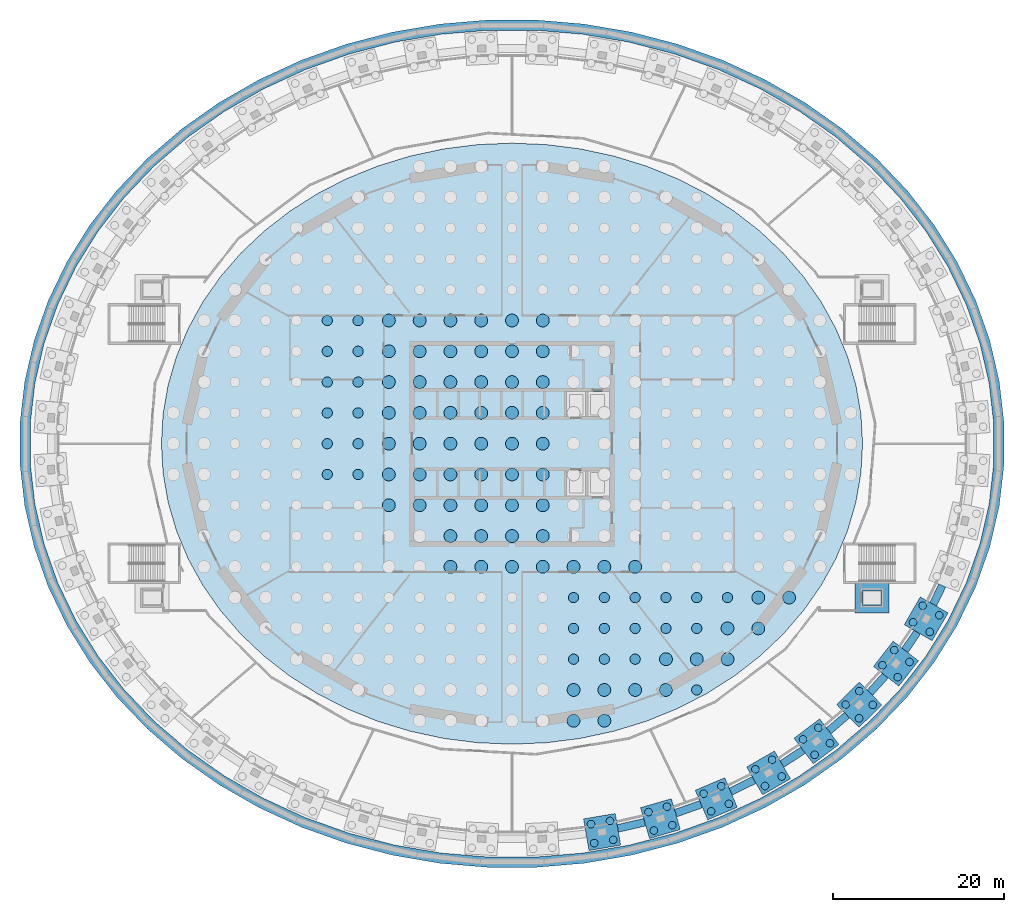
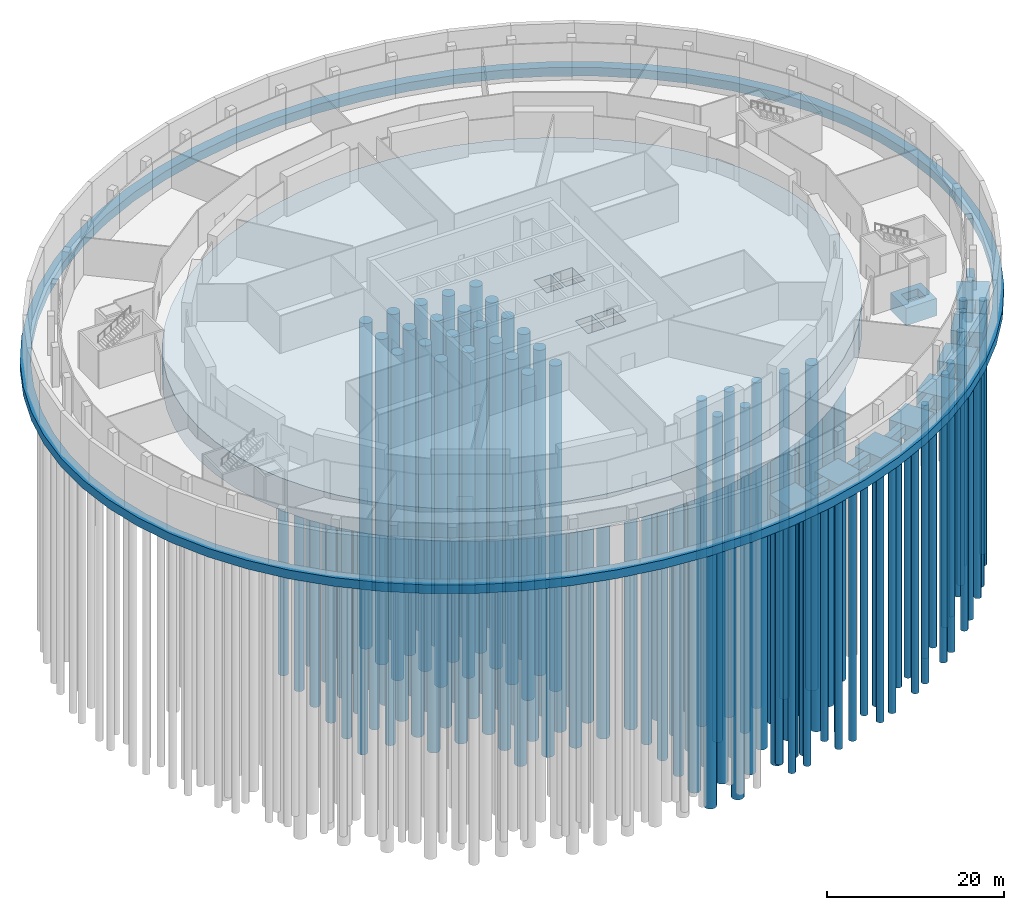
# One storey, part 2 of 15: 125 piles, 20 footings.
"""IFC4 building model written with IfcOpenShell, lengths in metres."""

from ifc_helpers import new_model, si_unit, direction, frame, origin, origin_2d, place, context, subcontext, project, spatial, polyline, rectangle, circle, outline, extrude, material, layer, layer_set, material_profile, profile_set, type_object, element, save


model = new_model("IFC4")

# Units and contexts
model_context = context("Model", 3, precision=1e-05, world=origin(), true_north=direction((0.0, 1.0)))
body_context = subcontext(model_context, "Body", "Model", "MODEL_VIEW")
ifc_project = project(units=[si_unit("LENGTHUNIT", "METRE"), si_unit("AREAUNIT", "SQUARE_METRE"), si_unit("VOLUMEUNIT", "CUBIC_METRE"), si_unit("PLANEANGLEUNIT", "RADIAN"), si_unit("MASSUNIT", "GRAM", prefix="KILO")], contexts=[model_context])

# Site, building, storey
site_placement = place(None, origin())
site = spatial("IfcSite", under=ifc_project, at=site_placement, CompositionType="ELEMENT")
building_placement = place(site_placement, origin())
building = spatial("IfcBuilding", under=site, at=building_placement, Name="Halqa Exchange Tower", CompositionType="ELEMENT")
storey_placement = place(building_placement, frame((0.0, 0.0, -15.0)))
storey = spatial("IfcBuildingStorey", under=building, at=storey_placement, Name="B3", CompositionType="ELEMENT", Elevation=-15.0)

# Piles
ifc_material_1 = material(Name="Concrete C35/45", Category="concrete")
ifc_material_profile_1 = material_profile(ifc_material_1, circle(Radius=0.60009765625, at=origin_2d()), Name="D1200")
ifc_profile_set_1 = profile_set([ifc_material_profile_1], Name="Concrete C35/45")
pile_type_1 = type_object("IfcPileType", Name="Bored pile D1200", PredefinedType="BORED", material=ifc_profile_set_1)
for number, where, z_axis, x_axis, name in (
    (1, (21.60009765625, -28.800048828125, -4.89990234375), (0.0, 0.0, -1.0), (1.0, 0.0, 0.0), "Raft pile"),
    (2, (7.199951171875, -25.199951171875, -4.89990234375), (0.0, 0.0, -1.0), (1.0, 0.0, 0.0), "Raft pile"),
    (3, (10.800048828125, -25.199951171875, -4.89990234375), (0.0, 0.0, -1.0), (1.0, 0.0, 0.0), "Raft pile"),
    (4, (14.39990234375, -25.199951171875, -4.89990234375), (0.0, 0.0, -1.0), (1.0, 0.0, 0.0), "Raft pile"),
    (5, (7.199951171875, -21.60009765625, -4.89990234375), (0.0, 0.0, -1.0), (1.0, 0.0, 0.0), "Raft pile"),
    (6, (10.800048828125, -21.60009765625, -4.89990234375), (0.0, 0.0, -1.0), (1.0, 0.0, 0.0), "Raft pile"),
    (7, (14.39990234375, -21.60009765625, -4.89990234375), (0.0, 0.0, -1.0), (1.0, 0.0, 0.0), "Raft pile"),
    (8, (18.0, -21.60009765625, -4.89990234375), (0.0, 0.0, -1.0), (1.0, 0.0, 0.0), "Raft pile"),
    (9, (21.60009765625, -21.60009765625, -4.89990234375), (0.0, 0.0, -1.0), (1.0, 0.0, 0.0), "Raft pile"),
    (10, (7.199951171875, -18.0, -4.89990234375), (0.0, 0.0, -1.0), (1.0, 0.0, 0.0), "Raft pile"),
    (11, (10.800048828125, -18.0, -4.89990234375), (0.0, 0.0, -1.0), (1.0, 0.0, 0.0), "Raft pile"),
    (12, (14.39990234375, -18.0, -4.89990234375), (0.0, 0.0, -1.0), (1.0, 0.0, 0.0), "Raft pile"),
    (13, (18.0, -18.0, -4.89990234375), (0.0, 0.0, -1.0), (1.0, 0.0, 0.0), "Raft pile"),
    (14, (21.60009765625, -18.0, -4.89990234375), (0.0, 0.0, -1.0), (1.0, 0.0, 0.0), "Raft pile"),
    (15, (25.199951171875, -18.0, -4.89990234375), (0.0, 0.0, -1.0), (1.0, 0.0, 0.0), "Raft pile"),
    (16, (-21.60009765625, -3.60009765625, -4.89990234375), (0.0, 0.0, -1.0), (1.0, 0.0, 0.0), "Raft pile"),
    (17, (-18.0, -3.60009765625, -4.89990234375), (0.0, 0.0, -1.0), (1.0, 0.0, 0.0), "Raft pile"),
    (18, (-21.60009765625, 0.0, -4.89990234375), (0.0, 0.0, -1.0), (1.0, 0.0, 0.0), "Raft pile"),
    (19, (-18.0, 0.0, -4.89990234375), (0.0, 0.0, -1.0), (1.0, 0.0, 0.0), "Raft pile"),
    (20, (-21.60009765625, 3.60009765625, -4.89990234375), (0.0, 0.0, -1.0), (1.0, 0.0, 0.0), "Raft pile"),
    (21, (-18.0, 3.60009765625, -4.89990234375), (0.0, 0.0, -1.0), (1.0, 0.0, 0.0), "Raft pile"),
    (22, (-21.60009765625, 7.199951171875, -4.89990234375), (0.0, 0.0, -1.0), (1.0, 0.0, 0.0), "Raft pile"),
    (23, (-18.0, 7.199951171875, -4.89990234375), (0.0, 0.0, -1.0), (1.0, 0.0, 0.0), "Raft pile"),
    (24, (-21.60009765625, 10.800048828125, -4.89990234375), (0.0, 0.0, -1.0), (1.0, 0.0, 0.0), "Raft pile"),
    (25, (-18.0, 10.800048828125, -4.89990234375), (0.0, 0.0, -1.0), (1.0, 0.0, 0.0), "Raft pile"),
    (26, (-21.60009765625, 14.39990234375, -4.89990234375), (0.0, 0.0, -1.0), (1.0, 0.0, 0.0), "Raft pile"),
    (27, (-18.0, 14.39990234375, -4.89990234375), (0.0, 0.0, -1.0), (1.0, 0.0, 0.0), "Raft pile"),
):
    element("IfcPile", number, at=place(storey_placement, frame(where, z_axis=z_axis, x_axis=x_axis)), inside=storey, type_object=pile_type_1, Name=name, PredefinedType="BORED", context=body_context, shape_type="SweptSolid", body=[
        extrude(circle(Radius=0.60009765625, at=origin_2d()), origin(), (0.0, 0.0, 1.0), 45.0),
    ])
ifc_material_profile_2 = material_profile(ifc_material_1, circle(Radius=0.75, at=origin_2d()), Name="D1500")
ifc_profile_set_2 = profile_set([ifc_material_profile_2], Name="Concrete C35/45")
pile_type_2 = type_object("IfcPileType", Name="Bored pile D1500", PredefinedType="BORED", material=ifc_profile_set_2)
for number, where, z_axis, x_axis, name in (
    (28, (7.199951171875, -32.39990234375, -4.89990234375), (0.0, 0.0, -1.0), (1.0, 0.0, 0.0), "Raft pile"),
    (29, (10.800048828125, -32.39990234375, -4.89990234375), (0.0, 0.0, -1.0), (1.0, 0.0, 0.0), "Raft pile"),
    (30, (7.199951171875, -28.800048828125, -4.89990234375), (0.0, 0.0, -1.0), (1.0, 0.0, 0.0), "Raft pile"),
    (31, (10.800048828125, -28.800048828125, -4.89990234375), (0.0, 0.0, -1.0), (1.0, 0.0, 0.0), "Raft pile"),
    (32, (14.39990234375, -28.800048828125, -4.89990234375), (0.0, 0.0, -1.0), (1.0, 0.0, 0.0), "Raft pile"),
    (33, (18.0, -28.800048828125, -4.89990234375), (0.0, 0.0, -1.0), (1.0, 0.0, 0.0), "Raft pile"),
    (34, (18.0, -25.199951171875, -4.89990234375), (0.0, 0.0, -1.0), (1.0, 0.0, 0.0), "Raft pile"),
    (35, (21.60009765625, -25.199951171875, -4.89990234375), (0.0, 0.0, -1.0), (1.0, 0.0, 0.0), "Raft pile"),
    (36, (25.199951171875, -25.199951171875, -4.89990234375), (0.0, 0.0, -1.0), (1.0, 0.0, 0.0), "Raft pile"),
    (37, (25.199951171875, -21.60009765625, -4.89990234375), (0.0, 0.0, -1.0), (1.0, 0.0, 0.0), "Raft pile"),
    (38, (28.800048828125, -21.60009765625, -4.89990234375), (0.0, 0.0, -1.0), (1.0, 0.0, 0.0), "Raft pile"),
    (39, (28.800048828125, -18.0, -4.89990234375), (0.0, 0.0, -1.0), (1.0, 0.0, 0.0), "Raft pile"),
    (40, (32.39990234375, -18.0, -4.89990234375), (0.0, 0.0, -1.0), (1.0, 0.0, 0.0), "Raft pile"),
    (41, (-7.199951171875, -14.39990234375, -4.89990234375), (0.0, 0.0, -1.0), (1.0, 0.0, 0.0), "Raft pile"),
    (42, (-3.60009765625, -14.39990234375, -4.89990234375), (0.0, 0.0, -1.0), (1.0, 0.0, 0.0), "Raft pile"),
    (43, (0.0, -14.39990234375, -4.89990234375), (0.0, 0.0, -1.0), (1.0, 0.0, 0.0), "Raft pile"),
    (44, (3.60009765625, -14.39990234375, -4.89990234375), (0.0, 0.0, -1.0), (1.0, 0.0, 0.0), "Raft pile"),
    (45, (7.199951171875, -14.39990234375, -4.89990234375), (0.0, 0.0, -1.0), (1.0, 0.0, 0.0), "Raft pile"),
    (46, (10.800048828125, -14.39990234375, -4.89990234375), (0.0, 0.0, -1.0), (1.0, 0.0, 0.0), "Raft pile"),
    (47, (14.39990234375, -14.39990234375, -4.89990234375), (0.0, 0.0, -1.0), (1.0, 0.0, 0.0), "Raft pile"),
    (48, (-7.199951171875, -10.800048828125, -4.89990234375), (0.0, 0.0, -1.0), (1.0, 0.0, 0.0), "Raft pile"),
    (49, (-3.60009765625, -10.800048828125, -4.89990234375), (0.0, 0.0, -1.0), (1.0, 0.0, 0.0), "Raft pile"),
    (50, (0.0, -10.800048828125, -4.89990234375), (0.0, 0.0, -1.0), (1.0, 0.0, 0.0), "Raft pile"),
    (51, (3.60009765625, -10.800048828125, -4.89990234375), (0.0, 0.0, -1.0), (1.0, 0.0, 0.0), "Raft pile"),
    (52, (-14.39990234375, -7.199951171875, -4.89990234375), (0.0, 0.0, -1.0), (1.0, 0.0, 0.0), "Raft pile"),
    (53, (-10.800048828125, -7.199951171875, -4.89990234375), (0.0, 0.0, -1.0), (1.0, 0.0, 0.0), "Raft pile"),
    (54, (-7.199951171875, -7.199951171875, -4.89990234375), (0.0, 0.0, -1.0), (1.0, 0.0, 0.0), "Raft pile"),
    (55, (-3.60009765625, -7.199951171875, -4.89990234375), (0.0, 0.0, -1.0), (1.0, 0.0, 0.0), "Raft pile"),
    (56, (0.0, -7.199951171875, -4.89990234375), (0.0, 0.0, -1.0), (1.0, 0.0, 0.0), "Raft pile"),
    (57, (3.60009765625, -7.199951171875, -4.89990234375), (0.0, 0.0, -1.0), (1.0, 0.0, 0.0), "Raft pile"),
    (58, (-14.39990234375, -3.60009765625, -4.89990234375), (0.0, 0.0, -1.0), (1.0, 0.0, 0.0), "Raft pile"),
    (59, (-10.800048828125, -3.60009765625, -4.89990234375), (0.0, 0.0, -1.0), (1.0, 0.0, 0.0), "Raft pile"),
    (60, (-7.199951171875, -3.60009765625, -4.89990234375), (0.0, 0.0, -1.0), (1.0, 0.0, 0.0), "Raft pile"),
    (61, (-3.60009765625, -3.60009765625, -4.89990234375), (0.0, 0.0, -1.0), (1.0, 0.0, 0.0), "Raft pile"),
    (62, (0.0, -3.60009765625, -4.89990234375), (0.0, 0.0, -1.0), (1.0, 0.0, 0.0), "Raft pile"),
    (63, (3.60009765625, -3.60009765625, -4.89990234375), (0.0, 0.0, -1.0), (1.0, 0.0, 0.0), "Raft pile"),
    (64, (-14.39990234375, 0.0, -4.89990234375), (0.0, 0.0, -1.0), (1.0, 0.0, 0.0), "Raft pile"),
    (65, (-10.800048828125, 0.0, -4.89990234375), (0.0, 0.0, -1.0), (1.0, 0.0, 0.0), "Raft pile"),
    (66, (-7.199951171875, 0.0, -4.89990234375), (0.0, 0.0, -1.0), (1.0, 0.0, 0.0), "Raft pile"),
    (67, (-3.60009765625, 0.0, -4.89990234375), (0.0, 0.0, -1.0), (1.0, 0.0, 0.0), "Raft pile"),
    (68, (0.0, 0.0, -4.89990234375), (0.0, 0.0, -1.0), (1.0, 0.0, 0.0), "Raft pile"),
    (69, (3.60009765625, 0.0, -4.89990234375), (0.0, 0.0, -1.0), (1.0, 0.0, 0.0), "Raft pile"),
    (70, (-14.39990234375, 3.60009765625, -4.89990234375), (0.0, 0.0, -1.0), (1.0, 0.0, 0.0), "Raft pile"),
    (71, (-10.800048828125, 3.60009765625, -4.89990234375), (0.0, 0.0, -1.0), (1.0, 0.0, 0.0), "Raft pile"),
    (72, (-7.199951171875, 3.60009765625, -4.89990234375), (0.0, 0.0, -1.0), (1.0, 0.0, 0.0), "Raft pile"),
    (73, (-3.60009765625, 3.60009765625, -4.89990234375), (0.0, 0.0, -1.0), (1.0, 0.0, 0.0), "Raft pile"),
    (74, (0.0, 3.60009765625, -4.89990234375), (0.0, 0.0, -1.0), (1.0, 0.0, 0.0), "Raft pile"),
    (75, (3.60009765625, 3.60009765625, -4.89990234375), (0.0, 0.0, -1.0), (1.0, 0.0, 0.0), "Raft pile"),
    (76, (-14.39990234375, 7.199951171875, -4.89990234375), (0.0, 0.0, -1.0), (1.0, 0.0, 0.0), "Raft pile"),
    (77, (-10.800048828125, 7.199951171875, -4.89990234375), (0.0, 0.0, -1.0), (1.0, 0.0, 0.0), "Raft pile"),
    (78, (-7.199951171875, 7.199951171875, -4.89990234375), (0.0, 0.0, -1.0), (1.0, 0.0, 0.0), "Raft pile"),
    (79, (-3.60009765625, 7.199951171875, -4.89990234375), (0.0, 0.0, -1.0), (1.0, 0.0, 0.0), "Raft pile"),
    (80, (0.0, 7.199951171875, -4.89990234375), (0.0, 0.0, -1.0), (1.0, 0.0, 0.0), "Raft pile"),
    (81, (3.60009765625, 7.199951171875, -4.89990234375), (0.0, 0.0, -1.0), (1.0, 0.0, 0.0), "Raft pile"),
    (82, (-14.39990234375, 10.800048828125, -4.89990234375), (0.0, 0.0, -1.0), (1.0, 0.0, 0.0), "Raft pile"),
    (83, (-10.800048828125, 10.800048828125, -4.89990234375), (0.0, 0.0, -1.0), (1.0, 0.0, 0.0), "Raft pile"),
    (84, (-7.199951171875, 10.800048828125, -4.89990234375), (0.0, 0.0, -1.0), (1.0, 0.0, 0.0), "Raft pile"),
    (85, (-3.60009765625, 10.800048828125, -4.89990234375), (0.0, 0.0, -1.0), (1.0, 0.0, 0.0), "Raft pile"),
    (86, (0.0, 10.800048828125, -4.89990234375), (0.0, 0.0, -1.0), (1.0, 0.0, 0.0), "Raft pile"),
    (87, (3.60009765625, 10.800048828125, -4.89990234375), (0.0, 0.0, -1.0), (1.0, 0.0, 0.0), "Raft pile"),
    (88, (-14.39990234375, 14.39990234375, -4.89990234375), (0.0, 0.0, -1.0), (1.0, 0.0, 0.0), "Raft pile"),
    (89, (-10.800048828125, 14.39990234375, -4.89990234375), (0.0, 0.0, -1.0), (1.0, 0.0, 0.0), "Raft pile"),
    (90, (-7.199951171875, 14.39990234375, -4.89990234375), (0.0, 0.0, -1.0), (1.0, 0.0, 0.0), "Raft pile"),
    (91, (-3.60009765625, 14.39990234375, -4.89990234375), (0.0, 0.0, -1.0), (1.0, 0.0, 0.0), "Raft pile"),
    (92, (0.0, 14.39990234375, -4.89990234375), (0.0, 0.0, -1.0), (1.0, 0.0, 0.0), "Raft pile"),
    (93, (3.60009765625, 14.39990234375, -4.89990234375), (0.0, 0.0, -1.0), (1.0, 0.0, 0.0), "Raft pile"),
):
    element("IfcPile", number, at=place(storey_placement, frame(where, z_axis=z_axis, x_axis=x_axis)), inside=storey, type_object=pile_type_2, Name=name, PredefinedType="BORED", context=body_context, shape_type="SweptSolid", body=[
        extrude(circle(Radius=0.75, at=origin_2d()), origin(), (0.0, 0.0, 1.0), 45.0),
    ])
ifc_material_profile_3 = material_profile(ifc_material_1, circle(Radius=0.449951171875, at=origin_2d()), Name="D900")
ifc_profile_set_3 = profile_set([ifc_material_profile_3], Name="Concrete C35/45")
pile_type_3 = type_object("IfcPileType", Name="Bored pile D900", PredefinedType="BORED", material=ifc_profile_set_3)
for number, where, z_axis, x_axis, name in (
    (94, (9.614990234375, -46.70849609375, -2.39990234375), (0.0, 0.0, -1.0), (1.0, 0.0, 0.0), "Cap pile"),
    (95, (11.8330078125, -46.330078125, -2.39990234375), (0.0, 0.0, -1.0), (1.0, 0.0, 0.0), "Cap pile"),
    (96, (9.23681640625, -44.490478515625, -2.39990234375), (0.0, 0.0, -1.0), (1.0, 0.0, 0.0), "Cap pile"),
    (97, (11.45458984375, -44.1123046875, -2.39990234375), (0.0, 0.0, -1.0), (1.0, 0.0, 0.0), "Cap pile"),
    (98, (16.591796875, -45.237548828125, -2.39990234375), (0.0, 0.0, -1.0), (1.0, 0.0, 0.0), "Cap pile"),
    (99, (18.752197265625, -44.608642578125, -2.39990234375), (0.0, 0.0, -1.0), (1.0, 0.0, 0.0), "Cap pile"),
    (100, (15.963134765625, -43.0771484375, -2.39990234375), (0.0, 0.0, -1.0), (1.0, 0.0, 0.0), "Cap pile"),
    (101, (18.12353515625, -42.4482421875, -2.39990234375), (0.0, 0.0, -1.0), (1.0, 0.0, 0.0), "Cap pile"),
    (102, (23.285400390625, -42.99951171875, -2.39990234375), (0.0, 0.0, -1.0), (1.0, 0.0, 0.0), "Cap pile"),
    (103, (25.35791015625, -42.123291015625, -2.39990234375), (0.0, 0.0, -1.0), (1.0, 0.0, 0.0), "Cap pile"),
    (104, (22.4091796875, -40.927001953125, -2.39990234375), (0.0, 0.0, -1.0), (1.0, 0.0, 0.0), "Cap pile"),
    (105, (24.481689453125, -40.05078125, -2.39990234375), (0.0, 0.0, -1.0), (1.0, 0.0, 0.0), "Cap pile"),
    (106, (29.583984375, -40.032470703125, -2.39990234375), (0.0, 0.0, -1.0), (1.0, 0.0, 0.0), "Cap pile"),
    (107, (31.5361328125, -38.913818359375, -2.39990234375), (0.0, 0.0, -1.0), (1.0, 0.0, 0.0), "Cap pile"),
    (108, (28.46533203125, -38.080078125, -2.39990234375), (0.0, 0.0, -1.0), (1.0, 0.0, 0.0), "Cap pile"),
    (109, (30.417724609375, -36.961669921875, -2.39990234375), (0.0, 0.0, -1.0), (1.0, 0.0, 0.0), "Cap pile"),
    (110, (35.381591796875, -36.385498046875, -2.39990234375), (0.0, 0.0, -1.0), (1.0, 0.0, 0.0), "Cap pile"),
    (111, (37.179931640625, -35.033203125, -2.39990234375), (0.0, 0.0, -1.0), (1.0, 0.0, 0.0), "Cap pile"),
    (112, (34.029296875, -34.587158203125, -2.39990234375), (0.0, 0.0, -1.0), (1.0, 0.0, 0.0), "Cap pile"),
    (113, (35.827880859375, -33.23486328125, -2.39990234375), (0.0, 0.0, -1.0), (1.0, 0.0, 0.0), "Cap pile"),
    (114, (40.581298828125, -32.11865234375, -2.39990234375), (0.0, 0.0, -1.0), (1.0, 0.0, 0.0), "Cap pile"),
    (115, (42.190185546875, -30.545654296875, -2.39990234375), (0.0, 0.0, -1.0), (1.0, 0.0, 0.0), "Cap pile"),
    (116, (39.00830078125, -30.509765625, -2.39990234375), (0.0, 0.0, -1.0), (1.0, 0.0, 0.0), "Cap pile"),
    (117, (40.6171875, -28.936767578125, -2.39990234375), (0.0, 0.0, -1.0), (1.0, 0.0, 0.0), "Cap pile"),
    (118, (45.09521484375, -27.3017578125, -2.39990234375), (0.0, 0.0, -1.0), (1.0, 0.0, 0.0), "Cap pile"),
    (119, (46.478271484375, -25.527099609375, -2.39990234375), (0.0, 0.0, -1.0), (1.0, 0.0, 0.0), "Cap pile"),
    (120, (43.320556640625, -25.918701171875, -2.39990234375), (0.0, 0.0, -1.0), (1.0, 0.0, 0.0), "Cap pile"),
    (121, (44.70361328125, -24.14404296875, -2.39990234375), (0.0, 0.0, -1.0), (1.0, 0.0, 0.0), "Cap pile"),
    (122, (48.845458984375, -22.01416015625, -2.39990234375), (0.0, 0.0, -1.0), (1.0, 0.0, 0.0), "Cap pile"),
    (123, (49.96728515625, -20.063720703125, -2.39990234375), (0.0, 0.0, -1.0), (1.0, 0.0, 0.0), "Cap pile"),
    (124, (46.89501953125, -20.892333984375, -2.39990234375), (0.0, 0.0, -1.0), (1.0, 0.0, 0.0), "Cap pile"),
    (125, (48.016845703125, -18.94189453125, -2.39990234375), (0.0, 0.0, -1.0), (1.0, 0.0, 0.0), "Cap pile"),
):
    element("IfcPile", number, at=place(storey_placement, frame(where, z_axis=z_axis, x_axis=x_axis)), inside=storey, type_object=pile_type_3, Name=name, PredefinedType="BORED", context=body_context, shape_type="SweptSolid", body=[
        extrude(circle(Radius=0.449951171875, at=origin_2d()), origin(), (0.0, 0.0, 1.0), 35.0),
    ])

# Footings
ifc_material_2 = material(Name="Concrete C40/50", Category="concrete")
footing_type_1 = type_object("IfcFootingType", Name="Ground beam 900 x 1200", PredefinedType="FOOTING_BEAM", material=ifc_material_2)
footing_1_placement = place(storey_placement, frame((0.0, 0.0, -1.60009765625)))
element("IfcFooting", 126, at=footing_1_placement, inside=storey, type_object=footing_type_1, Name="Ground beam 38", PredefinedType="FOOTING_BEAM", context=body_context, shape_type="SweptSolid", body=[
    extrude(outline(polyline([(12.283935546875, -44.546875), (15.406982421875, -43.829345703125), (15.608642578125, -44.70654296875), (12.485595703125, -45.424072265625), (12.283935546875, -44.546875)])), origin(), (0.0, 0.0, 1.0), 1.2001953125),
])
footing_2_placement = place(storey_placement, frame((0.0, 0.0, -1.60009765625)))
element("IfcFooting", 127, at=footing_2_placement, inside=storey, type_object=footing_type_1, Name="Ground beam 39", PredefinedType="FOOTING_BEAM", context=body_context, shape_type="SweptSolid", body=[
    extrude(outline(polyline([(18.995849609375, -42.78369140625), (21.944091796875, -41.736328125), (22.245361328125, -42.58447265625), (19.297119140625, -43.631591796875), (18.995849609375, -42.78369140625)])), origin(), (0.0, 0.0, 1.0), 1.2001953125),
])
footing_3_placement = place(storey_placement, frame((0.0, 0.0, -1.60009765625)))
element("IfcFooting", 128, at=footing_3_placement, inside=storey, type_object=footing_type_1, Name="Ground beam 40", PredefinedType="FOOTING_BEAM", context=body_context, shape_type="SweptSolid", body=[
    extrude(outline(polyline([(25.38525390625, -40.27978515625), (28.099853515625, -38.935791015625), (28.4990234375, -39.742431640625), (25.784423828125, -41.086181640625), (25.38525390625, -40.27978515625)])), origin(), (0.0, 0.0, 1.0), 1.2001953125),
])
footing_4_placement = place(storey_placement, frame((0.0, 0.0, -1.60009765625)))
element("IfcFooting", 129, at=footing_4_placement, inside=storey, type_object=footing_type_1, Name="Ground beam 41", PredefinedType="FOOTING_BEAM", context=body_context, shape_type="SweptSolid", body=[
    extrude(outline(polyline([(31.339599609375, -37.07763671875), (33.771240234375, -35.477783203125), (34.265869140625, -36.229736328125), (31.834228515625, -37.829345703125), (31.339599609375, -37.07763671875)])), origin(), (0.0, 0.0, 1.0), 1.2001953125),
])
footing_5_placement = place(storey_placement, frame((0.0, 0.0, -1.60009765625)))
element("IfcFooting", 130, at=footing_5_placement, inside=storey, type_object=footing_type_1, Name="Ground beam 42", PredefinedType="FOOTING_BEAM", context=body_context, shape_type="SweptSolid", body=[
    extrude(outline(polyline([(36.75341796875, -33.232666015625), (38.86474609375, -31.422119140625), (39.45068359375, -32.10546875), (37.339111328125, -33.915771484375), (36.75341796875, -33.232666015625)])), origin(), (0.0, 0.0, 1.0), 1.2001953125),
])
footing_6_placement = place(storey_placement, frame((0.0, 0.0, -1.60009765625)))
element("IfcFooting", 131, at=footing_6_placement, inside=storey, type_object=footing_type_1, Name="Ground beam 43", PredefinedType="FOOTING_BEAM", context=body_context, shape_type="SweptSolid", body=[
    extrude(outline(polyline([(41.530517578125, -28.8125), (43.29736328125, -26.838134765625), (43.968017578125, -27.438232421875), (42.201171875, -29.41259765625), (41.530517578125, -28.8125)])), origin(), (0.0, 0.0, 1.0), 1.2001953125),
])
footing_7_placement = place(storey_placement, frame((0.0, 0.0, -1.60009765625)))
element("IfcFooting", 132, at=footing_7_placement, inside=storey, type_object=footing_type_1, Name="Ground beam 44", PredefinedType="FOOTING_BEAM", context=body_context, shape_type="SweptSolid", body=[
    extrude(outline(polyline([(45.587158203125, -23.89599609375), (46.996826171875, -21.802490234375), (47.743408203125, -22.30517578125), (46.33349609375, -24.398681640625), (45.587158203125, -23.89599609375)])), origin(), (0.0, 0.0, 1.0), 1.2001953125),
])
footing_8_placement = place(storey_placement, frame((0.0, 0.0, -1.60009765625)))
element("IfcFooting", 133, at=footing_8_placement, inside=storey, type_object=footing_type_1, Name="Ground beam 45", PredefinedType="FOOTING_BEAM", context=body_context, shape_type="SweptSolid", body=[
    extrude(outline(polyline([(48.852294921875, -18.571533203125), (49.902587890625, -16.397705078125), (50.712890625, -16.789306640625), (49.66259765625, -18.962890625), (48.852294921875, -18.571533203125)])), origin(), (0.0, 0.0, 1.0), 1.2001953125),
])
ifc_layer_1 = layer(ifc_material_2, 1.0)
ifc_layer_set_1 = layer_set([ifc_layer_1], Name="Concrete C40/50")
footing_type_2 = type_object("IfcFootingType", Name="Lift pit base", PredefinedType="PAD_FOOTING", material=ifc_layer_set_1)
footing_9_placement = place(storey_placement, frame((0.0, 0.0, -2.800048828125)))
element("IfcFooting", 134, at=footing_9_placement, inside=storey, type_object=footing_type_2, Name="Lift pit base AL2", PredefinedType="PAD_FOOTING", context=body_context, shape_type="SweptSolid", body=[
    extrude(outline(polyline([(41.0, -18.89990234375), (43.199951171875, -18.89990234375), (43.199951171875, -17.10009765625), (41.0, -17.10009765625), (41.0, -18.89990234375)])), origin(), (0.0, 0.0, 1.0), 1.400146484375),
])
ifc_layer_2 = layer(ifc_material_2, 2.39990234375)
ifc_layer_set_2 = layer_set([ifc_layer_2], Name="Concrete C40/50")
footing_type_3 = type_object("IfcFootingType", Name="Lift pit pad", PredefinedType="PAD_FOOTING", material=ifc_layer_set_2)
footing_10_placement = place(storey_placement, frame((0.0, 0.0, -2.800048828125)))
element("IfcFooting", 135, at=footing_10_placement, inside=storey, type_object=footing_type_3, Name="Lift pit pad AL2", PredefinedType="PAD_FOOTING", context=body_context, shape_type="SweptSolid", body=[
    extrude(outline(polyline([(40.10009765625, -19.800048828125), (44.10009765625, -19.800048828125), (44.10009765625, -16.199951171875), (40.10009765625, -16.199951171875), (40.10009765625, -19.800048828125)]), holes=[polyline([(41.0, -18.89990234375), (43.199951171875, -18.89990234375), (43.199951171875, -17.10009765625), (41.0, -17.10009765625), (41.0, -18.89990234375)])]), origin(), (0.0, 0.0, 1.0), 2.400146484375),
])
footing_type_4 = type_object("IfcFootingType", Name="Pile cap 3750 x 3750 x 2000", PredefinedType="PILE_CAP", material=ifc_material_2)
for number, where, z_axis, x_axis, name in (
    (136, (10.534912109375, -45.410400390625, -2.39990234375), (0.0, 0.0, 1.0), (0.985766331194, 0.168121207122, 0.0), "Pile cap 38"),
    (137, (17.357666015625, -43.843017578125, -2.39990234375), (0.0, 0.0, 1.0), (0.960157717988, 0.27945868494, 0.0), "Pile cap 39"),
    (138, (23.883544921875, -41.525146484375, -2.39990234375), (0.0, 0.0, 1.0), (0.921048160137, 0.389448695861, 0.0), "Pile cap 40"),
    (139, (30.000732421875, -38.4970703125, -2.39990234375), (0.0, 0.0, 1.0), (0.867693451459, 0.497099662336, 0.0), "Pile cap 41"),
    (140, (35.604736328125, -34.810302734375, -2.39990234375), (0.0, 0.0, 1.0), (0.799260046694, 0.600985339055, 0.0), "Pile cap 42"),
    (141, (40.599365234375, -30.527587890625, -2.39990234375), (0.0, 0.0, 1.0), (0.715039055588, 0.699084507755, 0.0), "Pile cap 43"),
    (142, (44.8994140625, -25.722900390625, -2.39990234375), (0.0, 0.0, 1.0), (0.614691396063, 0.788767701929, 0.0), "Pile cap 44"),
    (143, (48.43115234375, -20.47802734375, -2.39990234375), (0.0, 0.0, 1.0), (0.498569440634, 0.866849763723, 0.0), "Pile cap 45"),
):
    element("IfcFooting", number, at=place(storey_placement, frame(where, z_axis=z_axis, x_axis=x_axis)), inside=storey, type_object=footing_type_4, Name=name, PredefinedType="PILE_CAP", context=body_context, shape_type="SweptSolid", body=[
        extrude(rectangle(XDim=3.75, YDim=3.75, at=origin_2d()), origin(), (0.0, 0.0, 1.0), 2.0),
    ])
ifc_layer_3 = layer(ifc_material_2, 4.5)
ifc_layer_set_3 = layer_set([ifc_layer_3], Name="Concrete C40/50")
footing_type_5 = type_object("IfcFootingType", Name="Piled raft 4500", PredefinedType="PILE_CAP", material=ifc_layer_set_3)
footing_11_placement = place(storey_placement, frame((0.0, 0.0, -4.89990234375)))
element("IfcFooting", 144, at=footing_11_placement, inside=storey, type_object=footing_type_5, Name="Tower piled raft", PredefinedType="PILE_CAP", context=body_context, shape_type="SweptSolid", body=[
    extrude(outline(polyline([(41.0, 0.0), (40.802490234375, 3.444580078125), (40.212158203125, 6.85595703125), (39.234619140625, 10.201416015625), (37.879150390625, 13.448486328125), (36.15869140625, 16.566162109375), (34.09033203125, 19.5244140625), (31.693359375, 22.29443359375), (28.991455078125, 24.849853515625), (26.010009765625, 27.165771484375), (22.7783203125, 29.22021484375), (19.327392578125, 30.9931640625), (15.68994140625, 32.4677734375), (11.901611328125, 33.629638671875), (7.998779296875, 34.467529296875), (4.018798828125, 34.9736328125), (0.0, 35.142822265625), (-4.018798828125, 34.9736328125), (-7.998779296875, 34.467529296875), (-11.901611328125, 33.629638671875), (-15.68994140625, 32.4677734375), (-19.327392578125, 30.9931640625), (-22.7783203125, 29.22021484375), (-26.010009765625, 27.165771484375), (-28.991455078125, 24.849853515625), (-31.693359375, 22.29443359375), (-34.09033203125, 19.5244140625), (-36.15869140625, 16.566162109375), (-37.879150390625, 13.448486328125), (-39.234619140625, 10.201416015625), (-40.212158203125, 6.85595703125), (-40.802490234375, 3.444580078125), (-41.0, 0.0), (-40.802490234375, -3.444580078125), (-40.212158203125, -6.85595703125), (-39.234619140625, -10.201416015625), (-37.879150390625, -13.448486328125), (-36.15869140625, -16.566162109375), (-34.09033203125, -19.5244140625), (-31.693359375, -22.29443359375), (-28.991455078125, -24.849853515625), (-26.010009765625, -27.165771484375), (-22.7783203125, -29.22021484375), (-19.327392578125, -30.9931640625), (-15.68994140625, -32.4677734375), (-11.901611328125, -33.629638671875), (-7.998779296875, -34.467529296875), (-4.018798828125, -34.9736328125), (0.0, -35.142822265625), (4.018798828125, -34.9736328125), (7.998779296875, -34.467529296875), (11.901611328125, -33.629638671875), (15.68994140625, -32.4677734375), (19.327392578125, -30.9931640625), (22.7783203125, -29.22021484375), (26.010009765625, -27.165771484375), (28.991455078125, -24.849853515625), (31.693359375, -22.29443359375), (34.09033203125, -19.5244140625), (36.15869140625, -16.566162109375), (37.879150390625, -13.448486328125), (39.234619140625, -10.201416015625), (40.212158203125, -6.85595703125), (40.802490234375, -3.444580078125), (41.0, 0.0)]), holes=[polyline([(6.39990234375, 3.199951171875), (8.60009765625, 3.199951171875), (8.60009765625, 6.10009765625), (6.39990234375, 6.10009765625), (6.39990234375, 3.199951171875)]), polyline([(8.89990234375, 3.199951171875), (11.39990234375, 3.199951171875), (11.39990234375, 6.10009765625), (8.89990234375, 6.10009765625), (8.89990234375, 3.199951171875)]), polyline([(6.39990234375, -6.10009765625), (8.60009765625, -6.10009765625), (8.60009765625, -3.199951171875), (6.39990234375, -3.199951171875), (6.39990234375, -6.10009765625)]), polyline([(8.89990234375, -6.10009765625), (11.39990234375, -6.10009765625), (11.39990234375, -3.199951171875), (8.89990234375, -3.199951171875), (8.89990234375, -6.10009765625)])]), origin(), (0.0, 0.0, 1.0), 4.5),
])
ifc_layer_4 = layer(ifc_material_2, 1.199951171875)
ifc_layer_set_4 = layer_set([ifc_layer_4], Name="Concrete C40/50")
footing_type_6 = type_object("IfcFootingType", Name="Strip footing 1200 x 1200", PredefinedType="STRIP_FOOTING", material=ifc_layer_set_4)
footing_12_placement = place(storey_placement, frame((0.0, 0.0, -1.60009765625)))
element("IfcFooting", 145, at=footing_12_placement, inside=storey, type_object=footing_type_6, Name="Retaining wall strip footing", PredefinedType="STRIP_FOOTING", context=body_context, shape_type="SweptSolid", body=[
    extrude(outline(polyline([(57.53125, 2.438720703125), (57.53125, -2.438720703125), (56.975341796875, -7.2919921875), (55.868896484375, -12.073974609375), (54.222900390625, -16.73828125), (52.053955078125, -21.23974609375), (49.383544921875, -25.534423828125), (46.23779296875, -29.58154296875), (42.647705078125, -33.342041015625), (38.648193359375, -36.7802734375), (34.278076171875, -39.863525390625), (29.5791015625, -42.5625), (24.596923828125, -44.851806640625), (19.37939453125, -46.709716796875), (13.976318359375, -48.11865234375), (8.439697265625, -49.065185546875), (2.822265625, -49.541015625), (-2.822265625, -49.541015625), (-8.439697265625, -49.065185546875), (-13.976318359375, -48.11865234375), (-19.37939453125, -46.709716796875), (-24.596923828125, -44.851806640625), (-29.5791015625, -42.5625), (-34.278076171875, -39.863525390625), (-38.648193359375, -36.7802734375), (-42.647705078125, -33.342041015625), (-46.23779296875, -29.58154296875), (-49.383544921875, -25.534423828125), (-52.053955078125, -21.23974609375), (-54.222900390625, -16.73828125), (-55.868896484375, -12.073974609375), (-56.975341796875, -7.2919921875), (-57.53125, -2.438720703125), (-57.53125, 2.438720703125), (-56.975341796875, 7.2919921875), (-55.868896484375, 12.073974609375), (-54.222900390625, 16.73828125), (-52.053955078125, 21.23974609375), (-49.383544921875, 25.534423828125), (-46.23779296875, 29.58154296875), (-42.647705078125, 33.342041015625), (-38.648193359375, 36.7802734375), (-34.278076171875, 39.863525390625), (-29.5791015625, 42.5625), (-24.596923828125, 44.851806640625), (-19.37939453125, 46.709716796875), (-13.976318359375, 48.11865234375), (-8.439697265625, 49.065185546875), (-2.822265625, 49.541015625), (2.822265625, 49.541015625), (8.439697265625, 49.065185546875), (13.976318359375, 48.11865234375), (19.37939453125, 46.709716796875), (24.596923828125, 44.851806640625), (29.5791015625, 42.5625), (34.278076171875, 39.863525390625), (38.648193359375, 36.7802734375), (42.647705078125, 33.342041015625), (46.23779296875, 29.58154296875), (49.383544921875, 25.534423828125), (52.053955078125, 21.23974609375), (54.222900390625, 16.73828125), (55.868896484375, 12.073974609375), (56.975341796875, 7.2919921875), (57.53125, 2.438720703125)]), holes=[polyline([(56.331298828125, 2.3701171875), (56.331298828125, -2.3701171875), (55.791015625, -7.087646484375), (54.71484375, -11.738037109375), (53.11328125, -16.27685546875), (51.0009765625, -20.66064453125), (48.3974609375, -24.847412109375), (45.327880859375, -28.797119140625), (41.820556640625, -32.470703125), (37.909423828125, -35.8330078125), (33.6318359375, -38.850830078125), (29.02880859375, -41.494873046875), (24.144287109375, -43.7392578125), (19.02587890625, -45.561767578125), (13.723388671875, -46.9443359375), (8.28759765625, -47.873779296875), (2.771484375, -48.341064453125), (-2.771484375, -48.341064453125), (-8.28759765625, -47.873779296875), (-13.723388671875, -46.9443359375), (-19.02587890625, -45.561767578125), (-24.144287109375, -43.7392578125), (-29.02880859375, -41.494873046875), (-33.6318359375, -38.850830078125), (-37.909423828125, -35.8330078125), (-41.820556640625, -32.470703125), (-45.327880859375, -28.797119140625), (-48.3974609375, -24.847412109375), (-51.0009765625, -20.66064453125), (-53.11328125, -16.27685546875), (-54.71484375, -11.738037109375), (-55.791015625, -7.087646484375), (-56.331298828125, -2.3701171875), (-56.331298828125, 2.3701171875), (-55.791015625, 7.087646484375), (-54.71484375, 11.738037109375), (-53.11328125, 16.27685546875), (-51.0009765625, 20.66064453125), (-48.3974609375, 24.847412109375), (-45.327880859375, 28.797119140625), (-41.820556640625, 32.470703125), (-37.909423828125, 35.8330078125), (-33.6318359375, 38.850830078125), (-29.02880859375, 41.494873046875), (-24.144287109375, 43.7392578125), (-19.02587890625, 45.561767578125), (-13.723388671875, 46.9443359375), (-8.28759765625, 47.873779296875), (-2.771484375, 48.341064453125), (2.771484375, 48.341064453125), (8.28759765625, 47.873779296875), (13.723388671875, 46.9443359375), (19.02587890625, 45.561767578125), (24.144287109375, 43.7392578125), (29.02880859375, 41.494873046875), (33.6318359375, 38.850830078125), (37.909423828125, 35.8330078125), (41.820556640625, 32.470703125), (45.327880859375, 28.797119140625), (48.3974609375, 24.847412109375), (51.0009765625, 20.66064453125), (53.11328125, 16.27685546875), (54.71484375, 11.738037109375), (55.791015625, 7.087646484375), (56.331298828125, 2.3701171875)])]), origin(), (0.0, 0.0, 1.0), 1.2001953125),
])

save(model, "model.ifc")
